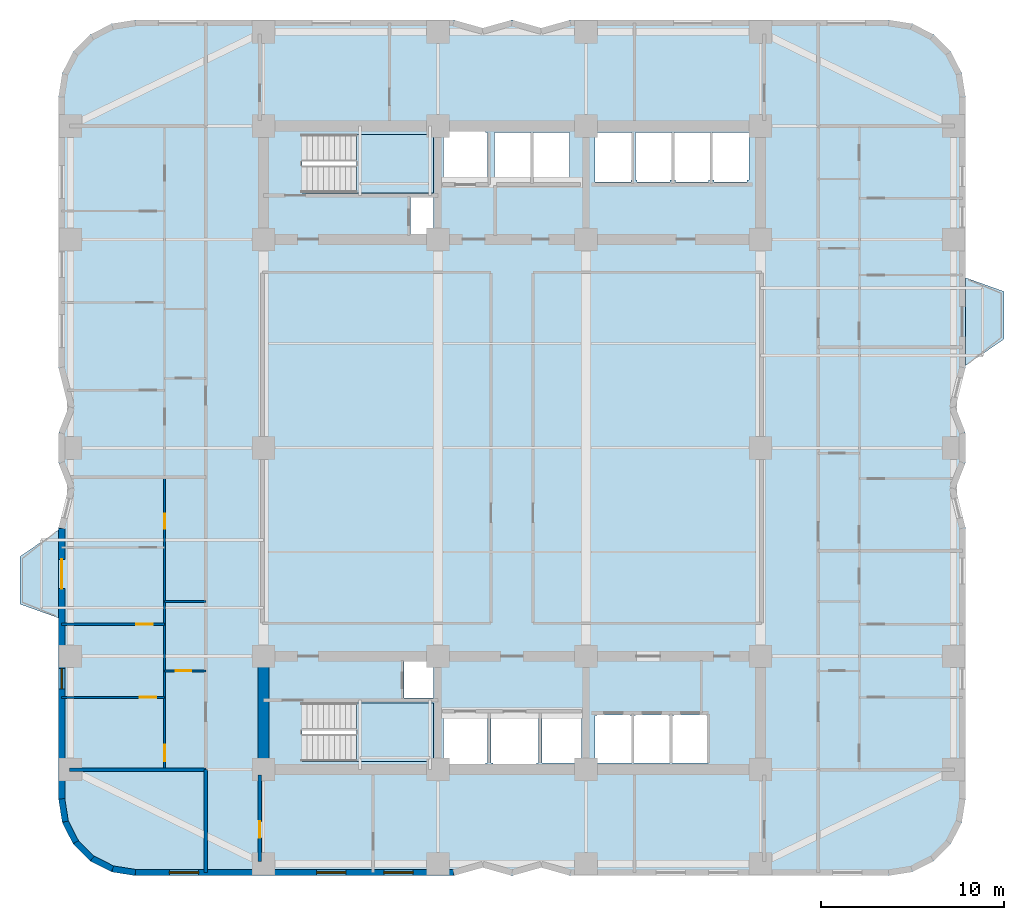
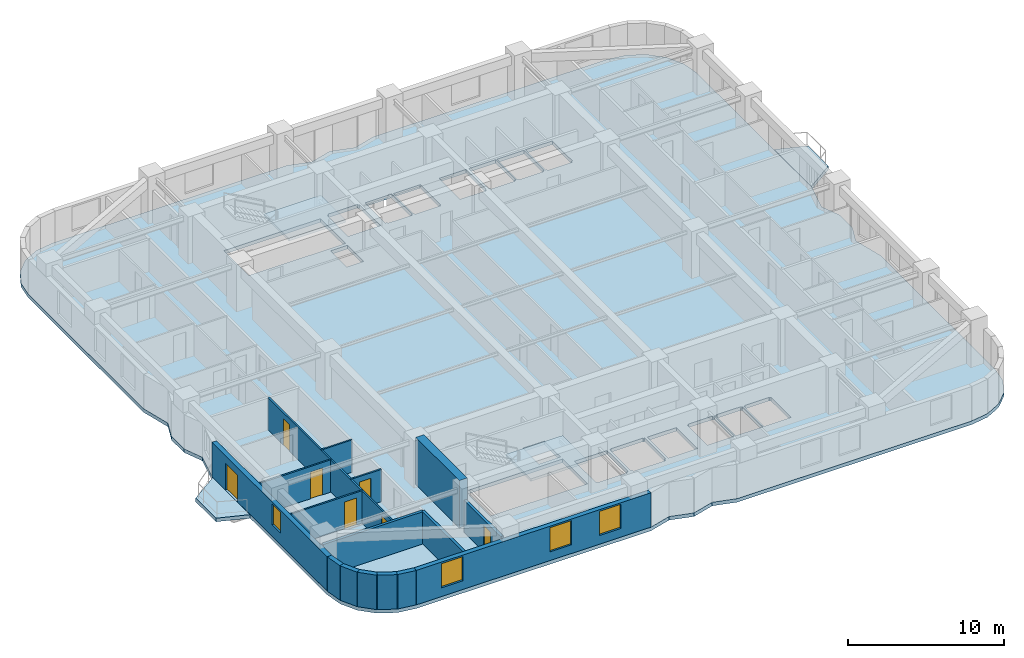
# One storey, part 2 of 9: 16 walls, 7 doors, 5 slabs, 4 windows, 11 openings, 2 elements without a shape of their own.
"""IFC4 building model written with IfcOpenShell, lengths in metres."""

from ifc_helpers import new_model, si_unit, direction, frame, frame_2d, origin, place, context, subcontext, project, spatial, polyline, rectangle, outline, extrude, material, layer, layer_set, type_object, element, fill, aggregate, save


model = new_model("IFC4")

# Units and contexts
model_context = context("Model", 3, precision=1e-05, world=origin(), true_north=direction((0.0, 1.0)))
body_context = subcontext(model_context, "Body", "Model", "MODEL_VIEW")
ifc_project = project(units=[si_unit("LENGTHUNIT", "METRE"), si_unit("AREAUNIT", "SQUARE_METRE"), si_unit("VOLUMEUNIT", "CUBIC_METRE"), si_unit("PLANEANGLEUNIT", "RADIAN"), si_unit("MASSUNIT", "GRAM", prefix="KILO")], contexts=[model_context])

# Site, building, storey
site_placement = place(None, origin())
site = spatial("IfcSite", under=ifc_project, at=site_placement, CompositionType="ELEMENT")
building_placement = place(site_placement, origin())
building = spatial("IfcBuilding", under=site, at=building_placement, Name="Svetorya Sky Lyceum", CompositionType="ELEMENT")
storey_placement = place(building_placement, frame((0.0, 0.0, 28.800048828125)))
storey = spatial("IfcBuildingStorey", under=building, at=storey_placement, Name="L06", CompositionType="ELEMENT", Elevation=28.800048828125)

# Slabs
ifc_material_1 = material(Name="Concrete C40/50", Category="concrete")
ifc_layer_1 = layer(ifc_material_1, 0.280029296875)
ifc_layer_set_1 = layer_set([ifc_layer_1], Name="Concrete C40/50")
slab_type_1 = type_object("IfcSlabType", Name="SL-BAL-280", PredefinedType="FLOOR", material=ifc_layer_set_1)
slab_1_placement = place(storey_placement, frame((0.0, 0.0, -0.280029296875)))
element("IfcSlab", 1, at=slab_1_placement, inside=storey, type_object=slab_type_1, Name="L06 Chamfered Loggia Balcony BAL-W1", PredefinedType="FLOOR", context=body_context, shape_type="SweptSolid", body=[
    extrude(outline(polyline([(14.389892578125, 18.89990234375), (14.389892578125, 23.699951171875), (12.2900390625, 22.25), (12.2900390625, 19.64990234375), (14.389892578125, 18.89990234375)])), origin(), (0.0, 0.0, 1.0), 0.280029296875),
])
slab_2_placement = place(storey_placement, frame((0.0, 0.0, -0.280029296875)))
element("IfcSlab", 2, at=slab_2_placement, inside=storey, type_object=slab_type_1, Name="L06 Chamfered Loggia Balcony BAL-E1", PredefinedType="FLOOR", context=body_context, shape_type="SweptSolid", body=[
    extrude(outline(polyline([(64.010009765625, 32.699951171875), (66.110107421875, 34.14990234375), (66.110107421875, 36.75), (64.010009765625, 37.5), (64.010009765625, 32.699951171875)])), origin(), (0.0, 0.0, 1.0), 0.280029296875),
])

# Stair, slab
stair_type_1 = type_object("IfcStairType", Name="STR-ST-S", PredefinedType="HALF_TURN_STAIR", material=ifc_material_1)
stair_1_placement = place(storey_placement, origin())
stair_1 = element("IfcStair", 3, at=stair_1_placement, inside=storey, type_object=stair_type_1, Name="L06 South Core Smoke-Free Exit Stair N2", PredefinedType="HALF_TURN_STAIR")
ifc_layer_2 = layer(ifc_material_1, 0.199951171875)
ifc_layer_set_2 = layer_set([ifc_layer_2], Name="Concrete C40/50")
slab_type_2 = type_object("IfcSlabType", Name="SL-STR-LAND-200", PredefinedType="LANDING", material=ifc_layer_set_2)
slab_3_placement = place(storey_placement, frame((0.0, 0.0, 1.64990234375)))
slab_3 = element("IfcSlab", 4, at=slab_3_placement, type_object=slab_type_2, Name="ST-S landing 1", PredefinedType="LANDING", context=body_context, shape_type="SweptSolid", body=[
    extrude(outline(polyline([(30.699951171875, 11.050048828125), (34.89990234375, 11.050048828125), (34.89990234375, 14.25), (30.699951171875, 14.25), (30.699951171875, 11.050048828125)])), origin(), (0.0, 0.0, 1.0), 0.199951171875),
])
aggregate(stair_1, [slab_3])

stair_type_2 = type_object("IfcStairType", Name="STR-ST-N", PredefinedType="HALF_TURN_STAIR", material=ifc_material_1)
stair_2_placement = place(storey_placement, origin())
stair_2 = element("IfcStair", 5, at=stair_2_placement, inside=storey, type_object=stair_type_2, Name="L06 North Core Smoke-Free Exit Stair N3", PredefinedType="HALF_TURN_STAIR")
slab_4_placement = place(storey_placement, frame((0.0, 0.0, 1.64990234375)))
slab_4 = element("IfcSlab", 6, at=slab_4_placement, type_object=slab_type_2, Name="ST-N landing 1", PredefinedType="LANDING", context=body_context, shape_type="SweptSolid", body=[
    extrude(outline(polyline([(30.699951171875, 42.14990234375), (34.89990234375, 42.14990234375), (34.89990234375, 45.35009765625), (30.699951171875, 45.35009765625), (30.699951171875, 42.14990234375)])), origin(), (0.0, 0.0, 1.0), 0.199951171875),
])
aggregate(stair_2, [slab_4])

# Slab
ifc_material_2 = material(Name="Concrete C50/60", Category="concrete")
ifc_layer_3 = layer(ifc_material_2, 0.280029296875)
ifc_layer_set_3 = layer_set([ifc_layer_3], Name="Concrete C50/60")
slab_type_3 = type_object("IfcSlabType", Name="SL-TWR-280", PredefinedType="FLOOR", material=ifc_layer_set_3)
slab_5_placement = place(storey_placement, frame((0.0, 0.0, -0.280029296875)))
element("IfcSlab", 7, at=slab_5_placement, inside=storey, type_object=slab_type_3, Name="L06 Structural Floor Slab", PredefinedType="FLOOR", context=body_context, shape_type="SweptSolid", body=[
    extrude(outline(polyline([(14.39990234375, 9.0), (14.605712890625, 7.7021484375), (15.2021484375, 6.53125), (16.13134765625, 5.60205078125), (17.302001953125, 5.005615234375), (18.60009765625, 4.800048828125), (36.0, 4.800048828125), (37.60009765625, 5.25), (39.199951171875, 4.800048828125), (40.800048828125, 5.25), (42.39990234375, 4.800048828125), (59.800048828125, 4.800048828125), (61.097900390625, 5.005615234375), (62.268798828125, 5.60205078125), (63.197998046875, 6.53125), (63.79443359375, 7.7021484375), (64.0, 9.0), (64.0, 23.800048828125), (63.449951171875, 26.0), (64.0, 27.39990234375), (64.0, 29.0), (63.449951171875, 30.39990234375), (64.0, 32.60009765625), (64.0, 47.39990234375), (63.79443359375, 48.697998046875), (63.197998046875, 49.86865234375), (62.268798828125, 50.7978515625), (61.097900390625, 51.394287109375), (59.800048828125, 51.60009765625), (42.39990234375, 51.60009765625), (40.800048828125, 51.14990234375), (39.199951171875, 51.60009765625), (37.60009765625, 51.14990234375), (36.0, 51.60009765625), (18.60009765625, 51.60009765625), (17.302001953125, 51.394287109375), (16.13134765625, 50.7978515625), (15.2021484375, 49.86865234375), (14.605712890625, 48.697998046875), (14.39990234375, 47.39990234375), (14.39990234375, 32.60009765625), (14.949951171875, 30.39990234375), (14.39990234375, 29.0), (14.39990234375, 27.39990234375), (14.949951171875, 26.0), (14.39990234375, 23.800048828125), (14.39990234375, 9.0)]), holes=[polyline([(35.550048828125, 13.64990234375), (37.75, 13.64990234375), (37.85009765625, 13.64990234375), (37.85009765625, 10.949951171875), (37.75, 10.949951171875), (37.75, 10.85009765625), (35.550048828125, 10.85009765625), (35.550048828125, 10.949951171875), (35.449951171875, 10.949951171875), (35.449951171875, 13.64990234375), (35.550048828125, 13.64990234375)]), polyline([(40.64990234375, 10.949951171875), (40.550048828125, 10.949951171875), (40.550048828125, 10.800048828125), (38.14990234375, 10.800048828125), (38.14990234375, 10.949951171875), (38.050048828125, 10.949951171875), (38.050048828125, 13.64990234375), (38.14990234375, 13.64990234375), (38.14990234375, 13.699951171875), (40.550048828125, 13.699951171875), (40.550048828125, 13.64990234375), (40.64990234375, 13.64990234375), (40.64990234375, 10.949951171875)]), polyline([(40.85009765625, 13.64990234375), (43.0, 13.64990234375), (43.0, 10.949951171875), (40.85009765625, 10.949951171875), (40.85009765625, 13.64990234375)]), polyline([(27.719970703125, 14.25), (34.89990234375, 14.25), (34.89990234375, 11.050048828125), (27.719970703125, 11.050048828125), (27.719970703125, 14.25)]), polyline([(33.300048828125, 16.580078125), (34.89990234375, 16.580078125), (34.89990234375, 14.52001953125), (33.300048828125, 14.52001953125), (33.300048828125, 16.580078125)]), polyline([(33.64990234375, 39.820068359375), (33.64990234375, 41.89990234375), (34.89990234375, 41.89990234375), (34.89990234375, 39.820068359375), (33.64990234375, 39.820068359375)]), polyline([(27.719970703125, 45.35009765625), (34.89990234375, 45.35009765625), (34.89990234375, 42.14990234375), (27.719970703125, 42.14990234375), (27.719970703125, 45.35009765625)]), polyline([(35.550048828125, 42.75), (35.449951171875, 42.75), (35.449951171875, 45.449951171875), (35.550048828125, 45.449951171875), (35.550048828125, 45.550048828125), (37.75, 45.550048828125), (37.75, 45.449951171875), (37.85009765625, 45.449951171875), (37.85009765625, 42.75), (37.75, 42.75), (35.550048828125, 42.75)]), polyline([(40.199951171875, 42.85009765625), (40.199951171875, 42.75), (38.39990234375, 42.75), (38.39990234375, 42.85009765625), (38.25, 42.85009765625), (38.25, 45.449951171875), (38.39990234375, 45.449951171875), (40.199951171875, 45.449951171875), (40.25, 45.449951171875), (40.25, 42.85009765625), (40.199951171875, 42.85009765625)]), polyline([(40.39990234375, 42.85009765625), (40.35009765625, 42.85009765625), (40.35009765625, 45.449951171875), (40.39990234375, 45.449951171875), (42.300048828125, 45.449951171875), (42.35009765625, 45.449951171875), (42.35009765625, 42.85009765625), (42.300048828125, 42.85009765625), (42.300048828125, 42.75), (40.39990234375, 42.75), (40.39990234375, 42.85009765625)]), polyline([(43.85009765625, 10.949951171875), (43.75, 10.949951171875), (43.75, 13.550048828125), (43.85009765625, 13.550048828125), (43.85009765625, 13.60009765625), (45.64990234375, 13.60009765625), (45.64990234375, 13.550048828125), (45.75, 13.550048828125), (45.75, 10.949951171875), (45.64990234375, 10.949951171875), (43.85009765625, 10.949951171875)]), polyline([(45.949951171875, 10.949951171875), (45.85009765625, 10.949951171875), (45.85009765625, 13.550048828125), (45.949951171875, 13.550048828125), (45.949951171875, 13.60009765625), (47.75, 13.60009765625), (47.75, 13.550048828125), (47.85009765625, 13.550048828125), (47.85009765625, 10.949951171875), (47.75, 10.949951171875), (45.949951171875, 10.949951171875)]), polyline([(49.85009765625, 13.550048828125), (49.949951171875, 13.550048828125), (49.949951171875, 10.949951171875), (49.85009765625, 10.949951171875), (48.050048828125, 10.949951171875), (47.949951171875, 10.949951171875), (47.949951171875, 13.550048828125), (48.050048828125, 13.550048828125), (48.050048828125, 13.60009765625), (49.85009765625, 13.60009765625), (49.85009765625, 13.550048828125)]), polyline([(43.75, 42.85009765625), (43.75, 45.449951171875), (45.699951171875, 45.449951171875), (45.75, 45.449951171875), (45.75, 42.85009765625), (45.699951171875, 42.85009765625), (45.699951171875, 42.75), (43.75, 42.75), (43.75, 42.85009765625)]), polyline([(46.050048828125, 42.85009765625), (45.949951171875, 42.85009765625), (45.949951171875, 45.449951171875), (46.050048828125, 45.449951171875), (47.85009765625, 45.449951171875), (47.949951171875, 45.449951171875), (47.949951171875, 42.85009765625), (47.85009765625, 42.85009765625), (47.85009765625, 42.75), (46.050048828125, 42.75), (46.050048828125, 42.85009765625)]), polyline([(48.14990234375, 42.85009765625), (48.050048828125, 42.85009765625), (48.050048828125, 45.449951171875), (48.14990234375, 45.449951171875), (49.949951171875, 45.449951171875), (50.050048828125, 45.449951171875), (50.050048828125, 42.85009765625), (49.949951171875, 42.85009765625), (49.949951171875, 42.75), (48.14990234375, 42.75), (48.14990234375, 42.85009765625)]), polyline([(50.25, 42.85009765625), (50.14990234375, 42.85009765625), (50.14990234375, 45.449951171875), (50.25, 45.449951171875), (52.050048828125, 45.449951171875), (52.14990234375, 45.449951171875), (52.14990234375, 42.85009765625), (52.050048828125, 42.85009765625), (52.050048828125, 42.75), (50.25, 42.75), (50.25, 42.85009765625)])]), origin(), (0.0, 0.0, 1.0), 0.280029296875),
])

# Walls
ifc_material_3 = material(Name="Concrete C60/75", Category="concrete")
ifc_layer_4 = layer(ifc_material_3, 0.60009765625)
ifc_layer_set_4 = layer_set([ifc_layer_4], Name="Concrete C60/75")
wall_type_1 = type_object("IfcWallType", Name="WL-CORE-600", PredefinedType="SHEAR", material=ifc_layer_set_4)
wall_1_placement = place(storey_placement, frame((25.60009765625, 10.89990234375, 0.0), z_axis=(0.0, 0.0, 1.0), x_axis=(0.0, 1.0, 0.0)))
element("IfcWall", 8, at=wall_1_placement, inside=storey, type_object=wall_type_1, Name="L06 SC West Core Shear Wall", PredefinedType="SHEAR", context=body_context, shape_type="SweptSolid", body=[
    extrude(rectangle(XDim=5.60009765625, YDim=0.60009765625, at=frame_2d((2.800048828125, 0.0))), origin(), (0.0, 0.0, 1.0), 3.699951171875),
])
ifc_material_4 = material(Name="Putilovo limestone rainscreen on autoclaved cellular masonry", Category="masonry")
ifc_layer_5 = layer(ifc_material_4, 0.340087890625)
ifc_layer_set_5 = layer_set([ifc_layer_5], Name="Putilovo limestone rainscreen on autoclaved cellular masonry")
wall_type_2 = type_object("IfcWallType", Name="WL-EXT-340", PredefinedType="SOLIDWALL", material=ifc_layer_set_5)
wall_2_placement = place(storey_placement, frame((14.570068359375, 9.0, 0.0), z_axis=(0.0, 0.0, 1.0), x_axis=(0.156260864002, -0.98771582066, 0.0)))
element("IfcWall", 9, at=wall_2_placement, inside=storey, type_object=wall_type_2, Name="L06 Limestone Exterior Wall 1M", PredefinedType="SOLIDWALL", context=body_context, shape_type="SweptSolid", body=[
    extrude(rectangle(XDim=1.2607421875, YDim=0.340087890625, at=frame_2d((0.63037109375, 0.0))), origin(), (0.0, 0.0, 1.0), 2.699951171875),
])
wall_3_placement = place(storey_placement, frame((14.76708984375, 7.754638671875, 0.0), z_axis=(0.0, 0.0, 1.0), x_axis=(0.454015689056, -0.890993689142, 0.0)))
element("IfcWall", 10, at=wall_3_placement, inside=storey, type_object=wall_type_2, Name="L06 Limestone Exterior Wall 2M", PredefinedType="SOLIDWALL", context=body_context, shape_type="SweptSolid", body=[
    extrude(rectangle(XDim=1.260986328125, YDim=0.340087890625, at=frame_2d((0.63037109375, 0.0))), origin(), (0.0, 0.0, 1.0), 2.699951171875),
])
wall_4_placement = place(storey_placement, frame((15.339599609375, 6.631103515625, 0.0), z_axis=(0.0, 0.0, 1.0), x_axis=(0.707203598708, -0.707009950407, 0.0)))
element("IfcWall", 11, at=wall_4_placement, inside=storey, type_object=wall_type_2, Name="L06 Limestone Exterior Wall 3M", PredefinedType="SOLIDWALL", context=body_context, shape_type="SweptSolid", body=[
    extrude(rectangle(XDim=1.2607421875, YDim=0.340087890625, at=frame_2d((0.63037109375, 0.0))), origin(), (0.0, 0.0, 1.0), 2.699951171875),
])
for number, where, z_axis, x_axis, name in (
    (12, (16.231201171875, 5.73974609375, 0.0), (0.0, 0.0, 1.0), (0.890993689142, -0.454015689056, 0.0), "L06 Limestone Exterior Wall 4M"),
    (13, (17.354736328125, 5.167236328125, 0.0), (0.0, 0.0, 1.0), (0.987685918112, -0.15644975923, 0.0), "L06 Limestone Exterior Wall 5M"),
):
    element("IfcWall", number, at=place(storey_placement, frame(where, z_axis=z_axis, x_axis=x_axis)), inside=storey, type_object=wall_type_2, Name=name, PredefinedType="SOLIDWALL", context=body_context, shape_type="SweptSolid", body=[
        extrude(rectangle(XDim=1.260986328125, YDim=0.340087890625, at=frame_2d((0.63037109375, 0.0))), origin(), (0.0, 0.0, 1.0), 2.699951171875),
    ])

# Wall, openings, windows
wall_5_placement = place(storey_placement, frame((18.60009765625, 4.969970703125, 0.0), z_axis=(0.0, 0.0, 1.0), x_axis=(1.0, 0.0, 0.0)))
wall_5 = element("IfcWall", 14, at=wall_5_placement, inside=storey, type_object=wall_type_2, Name="L06 Limestone Exterior Wall 6M", PredefinedType="SOLIDWALL", context=body_context, shape_type="SweptSolid", body=[
    extrude(rectangle(XDim=17.39990234375, YDim=0.340087890625, at=frame_2d((8.699951171875, 0.0))), origin(), (0.0, 0.0, 1.0), 2.699951171875),
])
opening_1_placement = place(wall_5_placement, frame((1.862548828125, 0.0, 0.679931640625)))
opening_1 = element("IfcOpeningElement", 15, at=opening_1_placement, cuts=wall_5, Name="Opening W-R4", PredefinedType="OPENING", context=body_context, shape_type="SweptSolid", body=[
    extrude(rectangle(XDim=1.60009765625, YDim=1.89990234375, at=frame_2d((0.800048828125, 0.949951171875))), frame((0.0, 0.179931640625, 0.0), z_axis=(0.0, -1.0, 0.0), x_axis=(1.0, 0.0, 0.0)), (0.0, 0.0, 1.0), 0.360107421875),
])
opening_2_placement = place(wall_5_placement, frame((9.91259765625, 0.0, 0.679931640625)))
opening_2 = element("IfcOpeningElement", 16, at=opening_2_placement, cuts=wall_5, Name="Opening W-R4", PredefinedType="OPENING", context=body_context, shape_type="SweptSolid", body=[
    extrude(rectangle(XDim=1.60009765625, YDim=1.89990234375, at=frame_2d((0.800048828125, 0.949951171875))), frame((0.0, 0.179931640625, 0.0), z_axis=(0.0, -1.0, 0.0), x_axis=(1.0, 0.0, 0.0)), (0.0, 0.0, 1.0), 0.360107421875),
])
opening_3_placement = place(wall_5_placement, frame((13.58740234375, 0.0, 0.679931640625)))
opening_3 = element("IfcOpeningElement", 17, at=opening_3_placement, cuts=wall_5, Name="Opening W-R4", PredefinedType="OPENING", context=body_context, shape_type="SweptSolid", body=[
    extrude(rectangle(XDim=1.60009765625, YDim=1.89990234375, at=frame_2d((0.800048828125, 0.949951171875))), frame((0.0, 0.179931640625, 0.0), z_axis=(0.0, -1.0, 0.0), x_axis=(1.0, 0.0, 0.0)), (0.0, 0.0, 1.0), 0.360107421875),
])
ifc_material_5 = material(Name="Thermally broken aluminium frame with triple low-E glazing", Category="aluminium")
window_type_1 = type_object("IfcWindowType", Name="WN-RES-160", PartitioningType="DOUBLE_PANEL_VERTICAL", PredefinedType="WINDOW", material=ifc_material_5)
window_1_placement = place(opening_1_placement, origin())
window_1 = element("IfcWindow", 18, at=window_1_placement, inside=storey, type_object=window_type_1, Name="L06 Facade Window W-R4.6M.1", OverallHeight=1.89990234375, OverallWidth=1.60009765625, PartitioningType="SINGLE_PANEL", PredefinedType="WINDOW", context=body_context, shape_type="SweptSolid", body=[
    extrude(rectangle(XDim=1.60009765625, YDim=1.89990234375, at=frame_2d((0.800048828125, 0.949951171875))), frame((0.0, 0.030029296875, 0.0), z_axis=(0.0, -1.0, 0.0), x_axis=(1.0, 0.0, 0.0)), (0.0, 0.0, 1.0), 0.06005859375),
])
fill(opening_1, window_1)
window_2_placement = place(opening_2_placement, origin())
window_2 = element("IfcWindow", 19, at=window_2_placement, inside=storey, type_object=window_type_1, Name="L06 Facade Window W-R4.6M.2", OverallHeight=1.89990234375, OverallWidth=1.60009765625, PartitioningType="SINGLE_PANEL", PredefinedType="WINDOW", context=body_context, shape_type="SweptSolid", body=[
    extrude(rectangle(XDim=1.60009765625, YDim=1.89990234375, at=frame_2d((0.800048828125, 0.949951171875))), frame((0.0, 0.030029296875, 0.0), z_axis=(0.0, -1.0, 0.0), x_axis=(1.0, 0.0, 0.0)), (0.0, 0.0, 1.0), 0.06005859375),
])
fill(opening_2, window_2)
window_3_placement = place(opening_3_placement, origin())
window_3 = element("IfcWindow", 20, at=window_3_placement, inside=storey, type_object=window_type_1, Name="L06 Facade Window W-R4.6M.3", OverallHeight=1.89990234375, OverallWidth=1.60009765625, PartitioningType="SINGLE_PANEL", PredefinedType="WINDOW", context=body_context, shape_type="SweptSolid", body=[
    extrude(rectangle(XDim=1.60009765625, YDim=1.89990234375, at=frame_2d((0.800048828125, 0.949951171875))), frame((0.0, 0.030029296875, 0.0), z_axis=(0.0, -1.0, 0.0), x_axis=(1.0, 0.0, 0.0)), (0.0, 0.0, 1.0), 0.06005859375),
])
fill(opening_3, window_3)

# Wall, openings, door, window
wall_6_placement = place(storey_placement, frame((14.570068359375, 23.800048828125, 0.0), z_axis=(0.0, 0.0, 1.0), x_axis=(0.0, -1.0, 0.0)))
wall_6 = element("IfcWall", 21, at=wall_6_placement, inside=storey, type_object=wall_type_2, Name="L06 Limestone Exterior Wall 46M", PredefinedType="SOLIDWALL", context=body_context, shape_type="SweptSolid", body=[
    extrude(rectangle(XDim=14.800048828125, YDim=0.340087890625, at=frame_2d((7.39990234375, 0.0))), origin(), (0.0, 0.0, 1.0), 2.699951171875),
])
opening_4_placement = place(wall_6_placement, frame((1.699951171875, 0.0, 0.0)))
opening_4 = element("IfcOpeningElement", 22, at=opening_4_placement, cuts=wall_6, Name="Opening D-BL1", PredefinedType="OPENING", context=body_context, shape_type="SweptSolid", body=[
    extrude(rectangle(XDim=1.60009765625, YDim=2.10009765625, at=frame_2d((0.800048828125, 1.050048828125))), frame((0.0, 0.179931640625, 0.0), z_axis=(0.0, -1.0, 0.0), x_axis=(1.0, 0.0, 0.0)), (0.0, 0.0, 1.0), 0.360107421875),
])
opening_5_placement = place(wall_6_placement, frame((7.679931640625, 0.0, 0.889892578125)))
opening_5 = element("IfcOpeningElement", 23, at=opening_5_placement, cuts=wall_6, Name="Opening W-R3", PredefinedType="OPENING", context=body_context, shape_type="SweptSolid", body=[
    extrude(rectangle(XDim=1.10009765625, YDim=1.64990234375, at=frame_2d((0.550048828125, 0.824951171875))), frame((0.0, 0.179931640625, 0.0), z_axis=(0.0, -1.0, 0.0), x_axis=(1.0, 0.0, 0.0)), (0.0, 0.0, 1.0), 0.360107421875),
])
ifc_material_6 = material(Name="Insulated glazed aluminium balcony door", Category="aluminium")
door_type_1 = type_object("IfcDoorType", Name="DR-BAL-1600", OperationType="DOUBLE_DOOR_SINGLE_SWING", PredefinedType="DOOR", material=ifc_material_6)
door_1_placement = place(opening_4_placement, origin())
door_1 = element("IfcDoor", 24, at=door_1_placement, inside=storey, type_object=door_type_1, Name="L06 Balcony BAL-W1 Door", OperationType="DOUBLE_DOOR_SINGLE_SWING", OverallHeight=2.10009765625, OverallWidth=1.60009765625, PredefinedType="DOOR", context=body_context, shape_type="SweptSolid", body=[
    extrude(rectangle(XDim=1.60009765625, YDim=2.10009765625, at=frame_2d((0.800048828125, 1.050048828125))), frame((0.0, 0.02490234375, 0.0), z_axis=(0.0, -1.0, 0.0), x_axis=(1.0, 0.0, 0.0)), (0.0, 0.0, 1.0), 0.050048828125),
])
fill(opening_4, door_1)
window_type_2 = type_object("IfcWindowType", Name="WN-RES-110", PartitioningType="SINGLE_PANEL", PredefinedType="WINDOW", material=ifc_material_5)
window_4_placement = place(opening_5_placement, origin())
window_4 = element("IfcWindow", 25, at=window_4_placement, inside=storey, type_object=window_type_2, Name="L06 Facade Window W-R3.46M.1", OverallHeight=1.64990234375, OverallWidth=1.10009765625, PartitioningType="SINGLE_PANEL", PredefinedType="WINDOW", context=body_context, shape_type="SweptSolid", body=[
    extrude(rectangle(XDim=1.10009765625, YDim=1.64990234375, at=frame_2d((0.550048828125, 0.824951171875))), frame((0.0, 0.030029296875, 0.0), z_axis=(0.0, -1.0, 0.0), x_axis=(1.0, 0.0, 0.0)), (0.0, 0.0, 1.0), 0.06005859375),
])
fill(opening_5, window_4)

# Wall, opening, door
ifc_material_7 = material(Name="Twin-stud galvanized framing with double fireboard", Category="gypsum")
ifc_layer_6 = layer(ifc_material_7, 0.1201171875)
ifc_layer_set_6 = layer_set([ifc_layer_6], Name="Twin-stud galvanized framing with double fireboard")
wall_type_3 = type_object("IfcWallType", Name="WL-PART-120", PredefinedType="PARTITIONING", material=ifc_layer_set_6)
wall_7_placement = place(storey_placement, frame((20.199951171875, 16.0, 0.0), z_axis=(0.0, 0.0, 1.0), x_axis=(1.0, 0.0, 0.0)))
wall_7 = element("IfcWall", 26, at=wall_7_placement, inside=storey, type_object=wall_type_3, Name="L06 Interior Partition W1-WH1", PredefinedType="PARTITIONING", context=body_context, shape_type="SweptSolid", body=[
    extrude(rectangle(XDim=2.25, YDim=0.1201171875, at=frame_2d((1.125, 0.0))), origin(), (0.0, 0.0, 1.0), 2.530029296875),
])
opening_6_placement = place(wall_7_placement, frame((0.60009765625, 0.0, 0.0)))
opening_6 = element("IfcOpeningElement", 27, at=opening_6_placement, cuts=wall_7, Name="Opening D-BT1", PredefinedType="OPENING", context=body_context, shape_type="SweptSolid", body=[
    extrude(rectangle(XDim=0.85009765625, YDim=2.10009765625, at=frame_2d((0.425048828125, 1.050048828125))), frame((0.0, 0.070068359375, 0.0), z_axis=(0.0, -1.0, 0.0), x_axis=(1.0, 0.0, 0.0)), (0.0, 0.0, 1.0), 0.14013671875),
])
ifc_material_8 = material(Name="Moisture-resistant laminate bathroom door")
door_type_2 = type_object("IfcDoorType", Name="DR-WET-850", OperationType="SINGLE_SWING_LEFT", PredefinedType="DOOR", material=ifc_material_8)
door_2_placement = place(opening_6_placement, origin())
door_2 = element("IfcDoor", 28, at=door_2_placement, inside=storey, type_object=door_type_2, Name="Apartment W1 Bathroom Door", OperationType="SINGLE_SWING_LEFT", OverallHeight=2.10009765625, OverallWidth=0.85009765625, PredefinedType="DOOR", context=body_context, shape_type="SweptSolid", body=[
    extrude(rectangle(XDim=0.85009765625, YDim=2.10009765625, at=frame_2d((0.425048828125, 1.050048828125))), frame((0.0, 0.02490234375, 0.0), z_axis=(0.0, -1.0, 0.0), x_axis=(1.0, 0.0, 0.0)), (0.0, 0.0, 1.0), 0.050048828125),
])
fill(opening_6, door_2)

# Wall
wall_8_placement = place(storey_placement, frame((20.199951171875, 19.800048828125, 0.0), z_axis=(0.0, 0.0, 1.0), x_axis=(1.0, 0.0, 0.0)))
element("IfcWall", 29, at=wall_8_placement, inside=storey, type_object=wall_type_3, Name="L06 Interior Partition W1-WH2", PredefinedType="PARTITIONING", context=body_context, shape_type="SweptSolid", body=[
    extrude(rectangle(XDim=2.25, YDim=0.1201171875, at=frame_2d((1.125, 0.0))), origin(), (0.0, 0.0, 1.0), 2.530029296875),
])

# Wall, opening, door
wall_9_placement = place(storey_placement, frame((14.570068359375, 14.550048828125, 0.0), z_axis=(0.0, 0.0, 1.0), x_axis=(1.0, 0.0, 0.0)))
wall_9 = element("IfcWall", 30, at=wall_9_placement, inside=storey, type_object=wall_type_3, Name="L06 Interior Partition W1-WL1", PredefinedType="PARTITIONING", context=body_context, shape_type="SweptSolid", body=[
    extrude(rectangle(XDim=5.6298828125, YDim=0.1201171875, at=frame_2d((2.81494140625, 0.0))), origin(), (0.0, 0.0, 1.0), 2.530029296875),
])
opening_7_placement = place(wall_9_placement, frame((4.280029296875, 0.0, 0.0)))
opening_7 = element("IfcOpeningElement", 31, at=opening_7_placement, cuts=wall_9, Name="Opening D-RM1", PredefinedType="OPENING", context=body_context, shape_type="SweptSolid", body=[
    extrude(rectangle(XDim=0.89990234375, YDim=2.10009765625, at=frame_2d((0.449951171875, 1.050048828125))), frame((0.0, 0.070068359375, 0.0), z_axis=(0.0, -1.0, 0.0), x_axis=(1.0, 0.0, 0.0)), (0.0, 0.0, 1.0), 0.14013671875),
])
ifc_material_9 = material(Name="Lacquered birch veneer internal door")
door_type_3 = type_object("IfcDoorType", Name="DR-INT-900", OperationType="SINGLE_SWING_LEFT", PredefinedType="DOOR", material=ifc_material_9)
door_3_placement = place(opening_7_placement, origin())
door_3 = element("IfcDoor", 32, at=door_3_placement, inside=storey, type_object=door_type_3, Name="Apartment W1 Master Bedroom Door", OperationType="SINGLE_SWING_LEFT", OverallHeight=2.10009765625, OverallWidth=0.89990234375, PredefinedType="DOOR", context=body_context, shape_type="SweptSolid", body=[
    extrude(rectangle(XDim=0.89990234375, YDim=2.10009765625, at=frame_2d((0.449951171875, 1.050048828125))), frame((0.0, 0.02490234375, 0.0), z_axis=(0.0, -1.0, 0.0), x_axis=(1.0, 0.0, 0.0)), (0.0, 0.0, 1.0), 0.050048828125),
])
fill(opening_7, door_3)

wall_10_placement = place(storey_placement, frame((14.570068359375, 18.550048828125, 0.0), z_axis=(0.0, 0.0, 1.0), x_axis=(1.0, 0.0, 0.0)))
wall_10 = element("IfcWall", 33, at=wall_10_placement, inside=storey, type_object=wall_type_3, Name="L06 Interior Partition W1-WL2", PredefinedType="PARTITIONING", context=body_context, shape_type="SweptSolid", body=[
    extrude(rectangle(XDim=5.6298828125, YDim=0.1201171875, at=frame_2d((2.81494140625, 0.0))), origin(), (0.0, 0.0, 1.0), 2.530029296875),
])
opening_8_placement = place(wall_10_placement, frame((4.080078125, 0.0, 0.0)))
opening_8 = element("IfcOpeningElement", 34, at=opening_8_placement, cuts=wall_10, Name="Opening D-RM1", PredefinedType="OPENING", context=body_context, shape_type="SweptSolid", body=[
    extrude(rectangle(XDim=0.89990234375, YDim=2.10009765625, at=frame_2d((0.449951171875, 1.050048828125))), frame((0.0, 0.070068359375, 0.0), z_axis=(0.0, -1.0, 0.0), x_axis=(1.0, 0.0, 0.0)), (0.0, 0.0, 1.0), 0.14013671875),
])
door_4_placement = place(opening_8_placement, origin())
door_4 = element("IfcDoor", 35, at=door_4_placement, inside=storey, type_object=door_type_3, Name="Apartment W1 Bedroom 2 Door", OperationType="SINGLE_SWING_RIGHT", OverallHeight=2.10009765625, OverallWidth=0.89990234375, PredefinedType="DOOR", context=body_context, shape_type="SweptSolid", body=[
    extrude(rectangle(XDim=0.89990234375, YDim=2.10009765625, at=frame_2d((0.449951171875, 1.050048828125))), frame((0.0, 0.02490234375, 0.0), z_axis=(0.0, -1.0, 0.0), x_axis=(1.0, 0.0, 0.0)), (0.0, 0.0, 1.0), 0.050048828125),
])
fill(opening_8, door_4)

# Wall, openings, doors
wall_11_placement = place(storey_placement, frame((20.199951171875, 10.639892578125, 0.0), z_axis=(0.0, 0.0, 1.0), x_axis=(0.0, 1.0, 0.0)))
wall_11 = element("IfcWall", 36, at=wall_11_placement, inside=storey, type_object=wall_type_3, Name="L06 Interior Partition W1-WV", PredefinedType="PARTITIONING", context=body_context, shape_type="SweptSolid", body=[
    extrude(rectangle(XDim=15.920166015625, YDim=0.1201171875, at=frame_2d((7.9599609375, 0.0))), origin(), (0.0, 0.0, 1.0), 2.530029296875),
])
opening_9_placement = place(wall_11_placement, frame((0.409912109375, 0.0, 0.0)))
opening_9 = element("IfcOpeningElement", 37, at=opening_9_placement, cuts=wall_11, Name="Opening D-RM1", PredefinedType="OPENING", context=body_context, shape_type="SweptSolid", body=[
    extrude(rectangle(XDim=0.89990234375, YDim=2.10009765625, at=frame_2d((0.449951171875, 1.050048828125))), frame((0.0, 0.070068359375, 0.0), z_axis=(0.0, -1.0, 0.0), x_axis=(1.0, 0.0, 0.0)), (0.0, 0.0, 1.0), 0.14013671875),
])
opening_10_placement = place(wall_11_placement, frame((13.125, 0.0, 0.0)))
opening_10 = element("IfcOpeningElement", 38, at=opening_10_placement, cuts=wall_11, Name="Opening D-BT2", PredefinedType="OPENING", context=body_context, shape_type="SweptSolid", body=[
    extrude(rectangle(XDim=0.820068359375, YDim=2.080078125, at=frame_2d((0.41015625, 1.0400390625))), frame((0.0, 0.070068359375, 0.0), z_axis=(0.0, -1.0, 0.0), x_axis=(1.0, 0.0, 0.0)), (0.0, 0.0, 1.0), 0.14013671875),
])
door_5_placement = place(opening_9_placement, origin())
door_5 = element("IfcDoor", 39, at=door_5_placement, inside=storey, type_object=door_type_3, Name="Apartment W1 Living Door", OperationType="SINGLE_SWING_RIGHT", OverallHeight=2.10009765625, OverallWidth=0.89990234375, PredefinedType="DOOR", context=body_context, shape_type="SweptSolid", body=[
    extrude(rectangle(XDim=0.89990234375, YDim=2.10009765625, at=frame_2d((0.449951171875, 1.050048828125))), frame((0.0, 0.02490234375, 0.0), z_axis=(0.0, -1.0, 0.0), x_axis=(1.0, 0.0, 0.0)), (0.0, 0.0, 1.0), 0.050048828125),
])
fill(opening_9, door_5)
ifc_material_10 = material(Name="Compact moisture-resistant laminate closet door")
door_type_4 = type_object("IfcDoorType", Name="DR-WET-820", OperationType="SINGLE_SWING_LEFT", PredefinedType="DOOR", material=ifc_material_10)
door_6_placement = place(opening_10_placement, origin())
door_6 = element("IfcDoor", 40, at=door_6_placement, inside=storey, type_object=door_type_4, Name="Apartment W1 Study Door", OperationType="SINGLE_SWING_LEFT", OverallHeight=2.080078125, OverallWidth=0.820068359375, PredefinedType="DOOR", context=body_context, shape_type="SweptSolid", body=[
    extrude(rectangle(XDim=0.820068359375, YDim=2.080078125, at=frame_2d((0.41015625, 1.0400390625))), frame((0.0, 0.02490234375, 0.0), z_axis=(0.0, -1.0, 0.0), x_axis=(1.0, 0.0, 0.0)), (0.0, 0.0, 1.0), 0.050048828125),
])
fill(opening_10, door_6)

# Walls
ifc_material_11 = material(Name="Autoclaved cellular masonry blockwork with gypsum plaster", Category="masonry")
ifc_layer_7 = layer(ifc_material_11, 0.199951171875)
ifc_layer_set_7 = layer_set([ifc_layer_7], Name="Autoclaved cellular masonry blockwork with gypsum plaster")
wall_type_4 = type_object("IfcWallType", Name="WL-PART-200", PredefinedType="PARTITIONING", material=ifc_layer_set_7)
wall_12_placement = place(storey_placement, frame((14.989990234375, 10.60009765625, 0.0), z_axis=(0.0, 0.0, 1.0), x_axis=(1.0, 0.0, 0.0)))
element("IfcWall", 41, at=wall_12_placement, inside=storey, type_object=wall_type_4, Name="L06 Interior Partition W-CAP-S", PredefinedType="PARTITIONING", context=body_context, shape_type="SweptSolid", body=[
    extrude(rectangle(XDim=7.4599609375, YDim=0.199951171875, at=frame_2d((3.72998046875, 0.0))), origin(), (0.0, 0.0, 1.0), 2.530029296875),
])
wall_13_placement = place(storey_placement, frame((22.449951171875, 4.969970703125, 0.0), z_axis=(0.0, 0.0, 1.0), x_axis=(0.0, 1.0, 0.0)))
element("IfcWall", 42, at=wall_13_placement, inside=storey, type_object=wall_type_4, Name="L06 Interior Partition WC-SW-END", PredefinedType="PARTITIONING", context=body_context, shape_type="SweptSolid", body=[
    extrude(rectangle(XDim=5.630126953125, YDim=0.199951171875, at=frame_2d((2.81494140625, 0.0))), origin(), (0.0, 0.0, 1.0), 2.530029296875),
])

# Wall, opening, door
wall_14_placement = place(storey_placement, frame((25.39990234375, 5.570068359375, 0.0), z_axis=(0.0, 0.0, 1.0), x_axis=(0.0, 1.0, 0.0)))
wall_14 = element("IfcWall", 43, at=wall_14_placement, inside=storey, type_object=wall_type_4, Name="L06 Interior Partition S-EW", PredefinedType="PARTITIONING", context=body_context, shape_type="SweptSolid", body=[
    extrude(rectangle(XDim=4.72998046875, YDim=0.199951171875, at=frame_2d((2.364990234375, 0.0))), origin(), (0.0, 0.0, 1.0), 2.530029296875),
])
opening_11_placement = place(wall_14_placement, frame((1.300048828125, 0.0, 0.0)))
opening_11 = element("IfcOpeningElement", 44, at=opening_11_placement, cuts=wall_14, Name="Opening D-RM1", PredefinedType="OPENING", context=body_context, shape_type="SweptSolid", body=[
    extrude(rectangle(XDim=0.89990234375, YDim=2.10009765625, at=frame_2d((0.449951171875, 1.050048828125))), frame((0.0, 0.10986328125, 0.0), z_axis=(0.0, -1.0, 0.0), x_axis=(1.0, 0.0, 0.0)), (0.0, 0.0, 1.0), 0.219970703125),
])
door_7_placement = place(opening_11_placement, origin())
door_7 = element("IfcDoor", 45, at=door_7_placement, inside=storey, type_object=door_type_3, Name="L06 South Study Door", OperationType="SINGLE_SWING_LEFT", OverallHeight=2.10009765625, OverallWidth=0.89990234375, PredefinedType="DOOR", context=body_context, shape_type="SweptSolid", body=[
    extrude(rectangle(XDim=0.89990234375, YDim=2.10009765625, at=frame_2d((0.449951171875, 1.050048828125))), frame((0.0, 0.02490234375, 0.0), z_axis=(0.0, -1.0, 0.0), x_axis=(1.0, 0.0, 0.0)), (0.0, 0.0, 1.0), 0.050048828125),
])
fill(opening_11, door_7)

save(model, "model.ifc")
